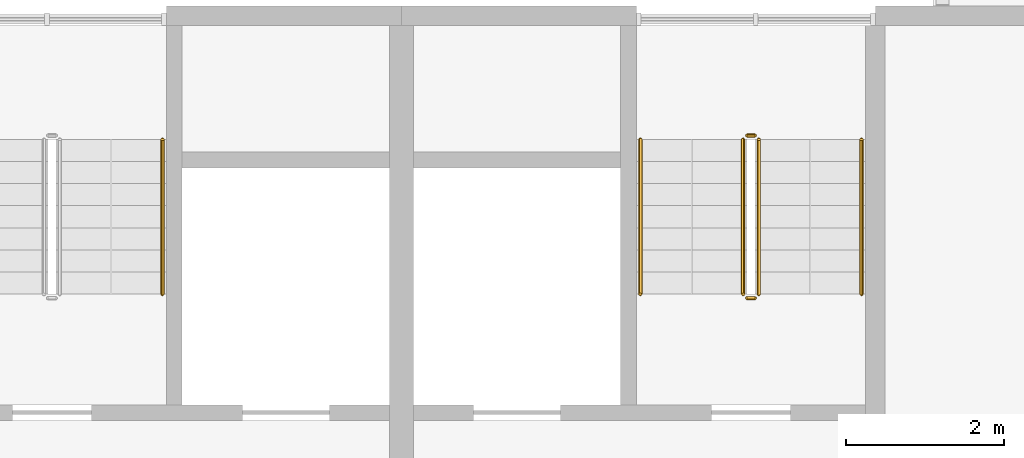
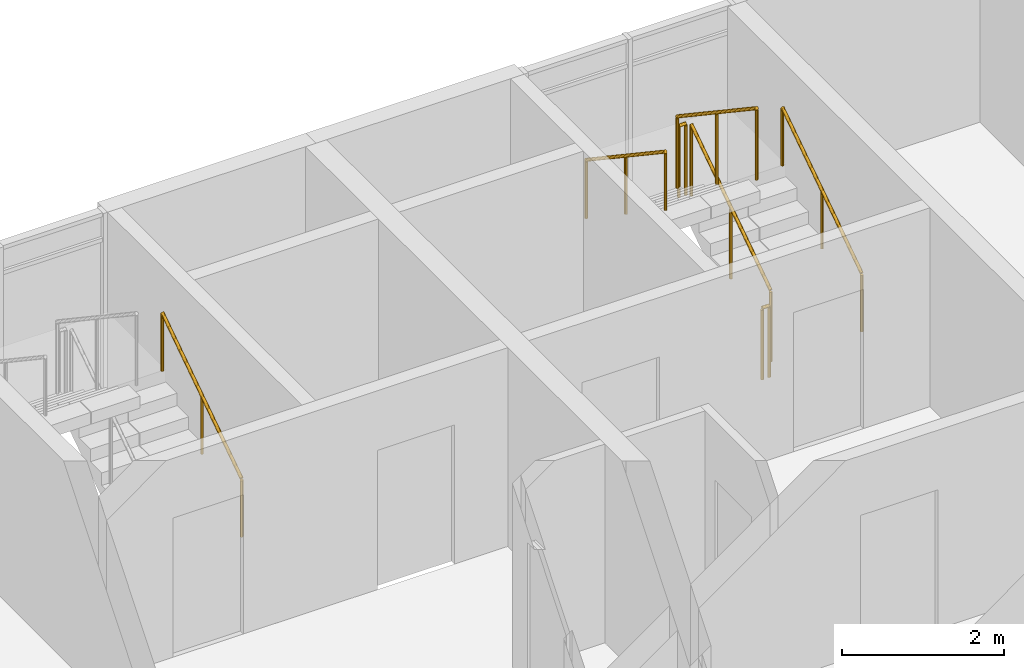
# One storey, part 113 of 122: 7 railings.
"""IFC4 building model written with IfcOpenShell, lengths in metres."""

from ifc_helpers import new_model, si_unit, direction, frame, origin, origin_2d, place, context, subcontext, project, spatial, circle, extrude, material, type_object, element, save


model = new_model("IFC4")

# Units and contexts
model_context = context("Model", 3, precision=1e-05, world=origin(), true_north=direction((0.0, 1.0)))
body_context = subcontext(model_context, "Body", "Model", "MODEL_VIEW")
ifc_project = project(units=[si_unit("LENGTHUNIT", "METRE"), si_unit("AREAUNIT", "SQUARE_METRE"), si_unit("VOLUMEUNIT", "CUBIC_METRE"), si_unit("PLANEANGLEUNIT", "RADIAN"), si_unit("MASSUNIT", "GRAM", prefix="KILO")], contexts=[model_context])

# Site, building, storey
site_placement = place(None, origin())
site = spatial("IfcSite", under=ifc_project, at=site_placement, CompositionType="ELEMENT")
building_placement = place(site_placement, origin())
building = spatial("IfcBuilding", under=site, at=building_placement, Name="Ridgestep Commons", CompositionType="ELEMENT")
storey_placement = place(building_placement, frame((0.0, 0.0, 3.0)))
storey = spatial("IfcBuildingStorey", under=building, at=storey_placement, Name="L01", CompositionType="ELEMENT", Elevation=3.0)

# Railings
ifc_material_1 = material(Name="Structural steel S355JR", Category="steel")
railing_type_1 = type_object("IfcRailingType", Name="Stair guard 1100", PredefinedType="GUARDRAIL", material=ifc_material_1)
railing_1_placement = place(storey_placement, frame((168.125, 19.35009765625, 0.1875)))
element("IfcRailing", 1, at=railing_1_placement, inside=storey, type_object=railing_type_1, Name="L01 D2C stair guard 1", PredefinedType="GUARDRAIL", context=body_context, shape_type="SweptSolid", body=[
    extrude(circle(Radius=0.02392578125, at=origin_2d()), frame((0.0, 0.0, 1.076171875), z_axis=(0.0, 0.830902050051, 0.556418712142), x_axis=(-1.0, 0.0, 0.0)), (0.0, 0.0, 1.0), 2.35888671875),
    extrude(circle(Radius=0.02099609375, at=origin_2d()), origin(), (0.0, 0.0, 1.0), 1.052001953125),
    extrude(circle(Radius=0.02099609375, at=origin_2d()), frame((0.0, 0.97998046875, 0.65625)), (0.0, 0.0, 1.0), 1.052001953125),
    extrude(circle(Radius=0.02099609375, at=origin_2d()), frame((0.0, 1.9599609375, 1.3125)), (0.0, 0.0, 1.0), 1.052001953125),
])
railing_2_placement = place(storey_placement, frame((168.074951171875, 21.360107421875, 1.5)))
element("IfcRailing", 2, at=railing_2_placement, inside=storey, type_object=railing_type_1, Name="L01 D2C stair guard 2", PredefinedType="GUARDRAIL", context=body_context, shape_type="SweptSolid", body=[
    extrude(circle(Radius=0.02392578125, at=origin_2d()), frame((0.0, 0.0, 1.076171875), z_axis=(-1.0, 0.0, 0.0), x_axis=(0.0, -1.0, 0.0)), (0.0, 0.0, 1.0), 0.099853515625),
    extrude(circle(Radius=0.02099609375, at=origin_2d()), origin(), (0.0, 0.0, 1.0), 1.052001953125),
    extrude(circle(Radius=0.02099609375, at=origin_2d()), frame((-0.099853515625, 0.0, 0.0)), (0.0, 0.0, 1.0), 1.052001953125),
])
railing_3_placement = place(storey_placement, frame((167.925048828125, 21.31005859375, 1.6875)))
element("IfcRailing", 3, at=railing_3_placement, inside=storey, type_object=railing_type_1, Name="L01 D2C stair guard 3", PredefinedType="GUARDRAIL", context=body_context, shape_type="SweptSolid", body=[
    extrude(circle(Radius=0.02392578125, at=origin_2d()), frame((0.0, 0.0, 1.076171875), z_axis=(0.0, -0.830902050051, 0.556418712142), x_axis=(1.0, 0.0, 0.0)), (0.0, 0.0, 1.0), 2.35888671875),
    extrude(circle(Radius=0.02099609375, at=origin_2d()), origin(), (0.0, 0.0, 1.0), 1.052001953125),
    extrude(circle(Radius=0.02099609375, at=origin_2d()), frame((0.0, -0.97998046875, 0.65625)), (0.0, 0.0, 1.0), 1.052001953125),
    extrude(circle(Radius=0.02099609375, at=origin_2d()), frame((0.0, -1.9599609375, 1.3125)), (0.0, 0.0, 1.0), 1.052001953125),
])
railing_4_placement = place(storey_placement, frame((168.074951171875, 19.300048828125, 0.0)))
element("IfcRailing", 4, at=railing_4_placement, inside=storey, type_object=railing_type_1, Name="L01 D2C stair guard 4", PredefinedType="GUARDRAIL", context=body_context, shape_type="SweptSolid", body=[
    extrude(circle(Radius=0.02392578125, at=origin_2d()), frame((0.0, 0.0, 1.076171875), z_axis=(-1.0, 0.0, 0.0), x_axis=(0.0, -1.0, 0.0)), (0.0, 0.0, 1.0), 0.099853515625),
    extrude(circle(Radius=0.02099609375, at=origin_2d()), origin(), (0.0, 0.0, 1.0), 1.052001953125),
    extrude(circle(Radius=0.02099609375, at=origin_2d()), frame((-0.099853515625, 0.0, 0.0)), (0.0, 0.0, 1.0), 1.052001953125),
])
ifc_material_2 = material(Name="Structural steel S355JR", Category="steel")
railing_type_2 = type_object("IfcRailingType", Name="Stair handrail 900", PredefinedType="HANDRAIL", material=ifc_material_2)
for number, where, name in (
    (5, (160.574951171875, 19.35009765625, 0.1875), "L01 D1C stair handrail 1"),
    (6, (169.425048828125, 19.35009765625, 0.1875), "L01 D2C stair handrail 1"),
):
    element("IfcRailing", number, at=place(storey_placement, frame(where)), inside=storey, type_object=railing_type_2, Name=name, PredefinedType="HANDRAIL", context=body_context, shape_type="SweptSolid", body=[
        extrude(circle(Radius=0.02392578125, at=origin_2d()), frame((0.0, 0.0, 0.8759765625), z_axis=(0.0, 0.830902050051, 0.556418712142), x_axis=(-1.0, 0.0, 0.0)), (0.0, 0.0, 1.0), 2.35888671875),
        extrude(circle(Radius=0.02099609375, at=origin_2d()), origin(), (0.0, 0.0, 1.0), 0.851806640625),
        extrude(circle(Radius=0.02099609375, at=origin_2d()), frame((0.0, 0.97998046875, 0.65625)), (0.0, 0.0, 1.0), 0.851806640625),
        extrude(circle(Radius=0.02099609375, at=origin_2d()), frame((0.0, 1.9599609375, 1.3125)), (0.0, 0.0, 1.0), 0.851806640625),
    ])
railing_5_placement = place(storey_placement, frame((166.625, 21.31005859375, 1.6875)))
element("IfcRailing", 7, at=railing_5_placement, inside=storey, type_object=railing_type_2, Name="L01 D2C stair handrail 2", PredefinedType="HANDRAIL", context=body_context, shape_type="SweptSolid", body=[
    extrude(circle(Radius=0.02392578125, at=origin_2d()), frame((0.0, 0.0, 0.8759765625), z_axis=(0.0, -0.830902050051, 0.556418712142), x_axis=(1.0, 0.0, 0.0)), (0.0, 0.0, 1.0), 2.35888671875),
    extrude(circle(Radius=0.02099609375, at=origin_2d()), origin(), (0.0, 0.0, 1.0), 0.851806640625),
    extrude(circle(Radius=0.02099609375, at=origin_2d()), frame((0.0, -0.97998046875, 0.65625)), (0.0, 0.0, 1.0), 0.851806640625),
    extrude(circle(Radius=0.02099609375, at=origin_2d()), frame((0.0, -1.9599609375, 1.3125)), (0.0, 0.0, 1.0), 0.851806640625),
])

save(model, "model.ifc")
